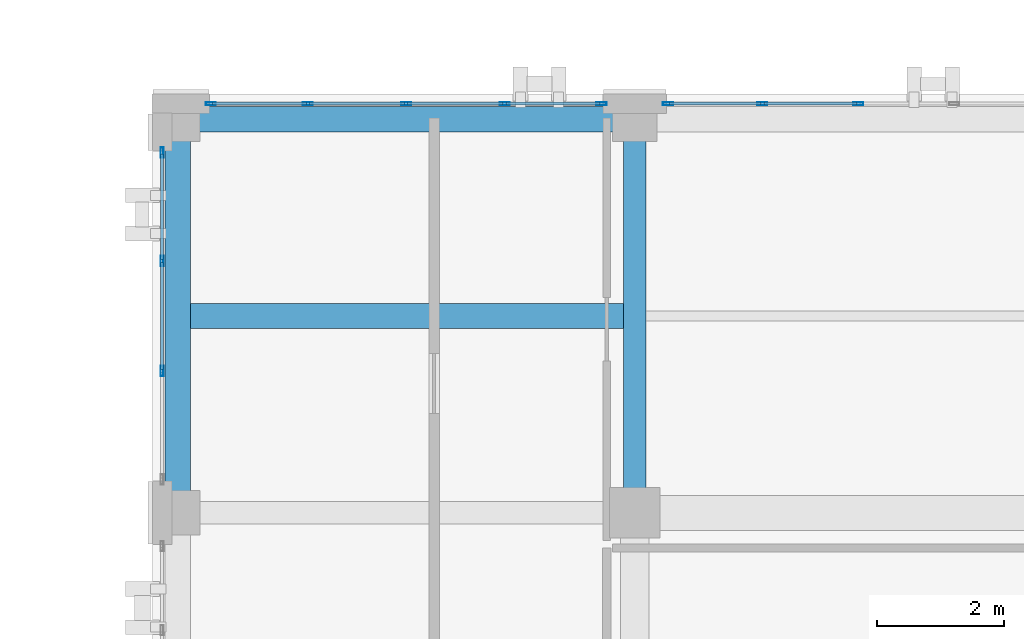
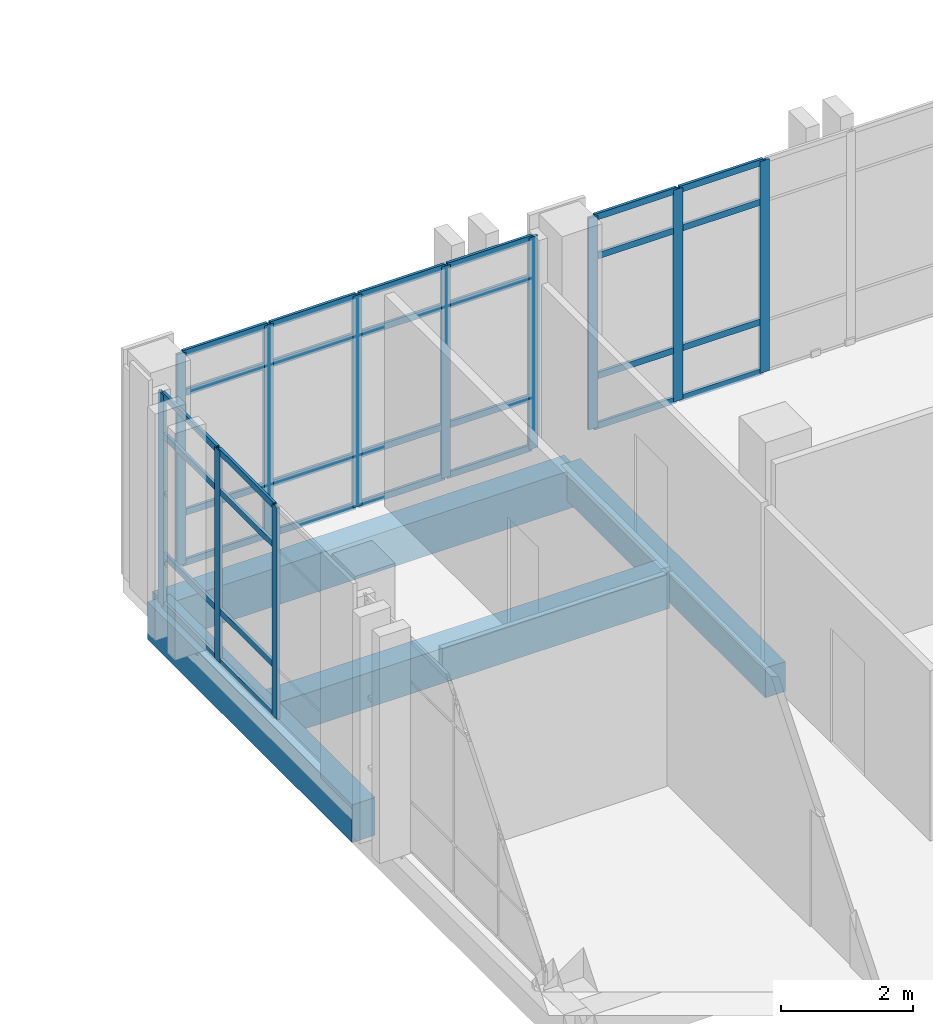
# One storey, part 103 of 193: 43 members, 4 beams, 3 elements without a shape of their own.
"""IFC4 building model written with IfcOpenShell, lengths in metres."""

from ifc_helpers import new_model, si_unit, direction, frame, origin, origin_2d, place, context, subcontext, project, spatial, rectangle, hollow_rectangle, extrude, material, layer, layer_set, material_profile, profile_set, type_object, element, aggregate, save


model = new_model("IFC4")

# Units and contexts
model_context = context("Model", 3, precision=1e-05, world=origin(), true_north=direction((0.0, 1.0)))
body_context = subcontext(model_context, "Body", "Model", "MODEL_VIEW")
ifc_project = project(units=[si_unit("LENGTHUNIT", "METRE"), si_unit("AREAUNIT", "SQUARE_METRE"), si_unit("VOLUMEUNIT", "CUBIC_METRE"), si_unit("PLANEANGLEUNIT", "RADIAN"), si_unit("MASSUNIT", "GRAM", prefix="KILO")], contexts=[model_context])

# Site, building, storey
site_placement = place(None, origin())
site = spatial("IfcSite", under=ifc_project, at=site_placement, CompositionType="ELEMENT")
building_placement = place(site_placement, origin())
building = spatial("IfcBuilding", under=site, at=building_placement, Name="Qalavern Law Courts", CompositionType="ELEMENT")
storey_placement = place(building_placement, frame((0.0, 0.0, 10.199951171875)))
storey = spatial("IfcBuildingStorey", under=building, at=storey_placement, Name="L02", CompositionType="ELEMENT", Elevation=10.199951171875)

# Curtain wall, members
ifc_material_1 = material(Name="Anodised aluminium and insulated glazing", Category="aluminium")
ifc_layer = layer(ifc_material_1, 0.172119140625)
ifc_layer_set = layer_set([ifc_layer], Name="Anodised aluminium and insulated glazing")
curtain_wall_type = type_object("IfcCurtainWallType", Name="ENV-CW-COURT", PredefinedType="USERDEFINED", material=ifc_layer_set)
curtain_wall_1_placement = place(storey_placement, origin())
curtain_wall_1 = element("IfcCurtainWall", 1, at=curtain_wall_1_placement, inside=storey, type_object=curtain_wall_type, Name="V4 unitised curtain wall L02 north 1", ObjectType="UNITISED CURTAIN WALL", PredefinedType="USERDEFINED")
ifc_material_2 = material(Name="Anodised aluminium", Category="aluminium")
ifc_material_profile_1 = material_profile(ifc_material_2, hollow_rectangle(XDim=0.048095703125, YDim=0.159912109375, WallThickness=0.00390625, at=origin_2d()), Name="ALU MULLION 48x160")
ifc_profile_set_1 = profile_set([ifc_material_profile_1], Name="Anodised aluminium")
member_type_1 = type_object("IfcMemberType", Name="ENV-CWM-48x160", PredefinedType="MULLION", material=ifc_profile_set_1)
member_1_placement = place(storey_placement, frame((95.322265625, 85.64501953125, 0.0), z_axis=(0.0, 0.0, 1.0), x_axis=(0.0, -1.0, 0.0)))
member_1 = element("IfcMember", 2, at=member_1_placement, type_object=member_type_1, Name="CW-03 mullion 8", PredefinedType="MULLION", context=body_context, shape_type="SweptSolid", body=[
    extrude(hollow_rectangle(XDim=0.048095703125, YDim=0.159912109375, WallThickness=0.00390625, at=origin_2d()), origin(), (0.0, 0.0, 1.0), 3.9150390625),
])
member_2_placement = place(storey_placement, frame((93.81103515625, 85.64501953125, 0.0), z_axis=(0.0, 0.0, 1.0), x_axis=(0.0, -1.0, 0.0)))
member_2 = element("IfcMember", 3, at=member_2_placement, type_object=member_type_1, Name="CW-03 mullion 9", PredefinedType="MULLION", context=body_context, shape_type="SweptSolid", body=[
    extrude(hollow_rectangle(XDim=0.048095703125, YDim=0.159912109375, WallThickness=0.00390625, at=origin_2d()), origin(), (0.0, 0.0, 1.0), 3.9150390625),
])
member_3_placement = place(storey_placement, frame((92.323974609375, 85.64501953125, 0.0), z_axis=(0.0, 0.0, 1.0), x_axis=(0.0, -1.0, 0.0)))
member_3 = element("IfcMember", 4, at=member_3_placement, type_object=member_type_1, Name="CW-03 mullion 10", PredefinedType="MULLION", context=body_context, shape_type="SweptSolid", body=[
    extrude(hollow_rectangle(XDim=0.048095703125, YDim=0.159912109375, WallThickness=0.00390625, at=origin_2d()), origin(), (0.0, 0.0, 1.0), 3.9150390625),
])

curtain_wall_2_placement = place(storey_placement, origin())
curtain_wall_2 = element("IfcCurtainWall", 5, at=curtain_wall_2_placement, inside=storey, type_object=curtain_wall_type, Name="V4 unitised curtain wall L02 north 2", ObjectType="UNITISED CURTAIN WALL", PredefinedType="USERDEFINED")
member_4_placement = place(storey_placement, frame((91.27587890625, 85.64501953125, 0.0), z_axis=(0.0, 0.0, 1.0), x_axis=(0.0, -1.0, 0.0)))
member_4 = element("IfcMember", 6, at=member_4_placement, type_object=member_type_1, Name="CW-03 mullion 1", PredefinedType="MULLION", context=body_context, shape_type="SweptSolid", body=[
    extrude(hollow_rectangle(XDim=0.048095703125, YDim=0.159912109375, WallThickness=0.00390625, at=origin_2d()), origin(), (0.0, 0.0, 1.0), 3.9150390625),
])
member_5_placement = place(storey_placement, frame((89.75, 85.64501953125, 0.0), z_axis=(0.0, 0.0, 1.0), x_axis=(0.0, -1.0, 0.0)))
member_5 = element("IfcMember", 7, at=member_5_placement, type_object=member_type_1, Name="CW-03 mullion 2", PredefinedType="MULLION", context=body_context, shape_type="SweptSolid", body=[
    extrude(hollow_rectangle(XDim=0.048095703125, YDim=0.159912109375, WallThickness=0.00390625, at=origin_2d()), origin(), (0.0, 0.0, 1.0), 3.9150390625),
])
member_6_placement = place(storey_placement, frame((88.199951171875, 85.64501953125, 0.0), z_axis=(0.0, 0.0, 1.0), x_axis=(0.0, -1.0, 0.0)))
member_6 = element("IfcMember", 8, at=member_6_placement, type_object=member_type_1, Name="CW-03 mullion 3", PredefinedType="MULLION", context=body_context, shape_type="SweptSolid", body=[
    extrude(hollow_rectangle(XDim=0.048095703125, YDim=0.159912109375, WallThickness=0.00390625, at=origin_2d()), origin(), (0.0, 0.0, 1.0), 3.9150390625),
])
member_7_placement = place(storey_placement, frame((86.64990234375, 85.64501953125, 0.0), z_axis=(0.0, 0.0, 1.0), x_axis=(0.0, -1.0, 0.0)))
member_7 = element("IfcMember", 9, at=member_7_placement, type_object=member_type_1, Name="CW-03 mullion 4", PredefinedType="MULLION", context=body_context, shape_type="SweptSolid", body=[
    extrude(hollow_rectangle(XDim=0.048095703125, YDim=0.159912109375, WallThickness=0.00390625, at=origin_2d()), origin(), (0.0, 0.0, 1.0), 3.9150390625),
])
member_8_placement = place(storey_placement, frame((85.1240234375, 85.64501953125, 0.0), z_axis=(0.0, 0.0, 1.0), x_axis=(0.0, -1.0, 0.0)))
member_8 = element("IfcMember", 10, at=member_8_placement, type_object=member_type_1, Name="CW-03 mullion 5", PredefinedType="MULLION", context=body_context, shape_type="SweptSolid", body=[
    extrude(hollow_rectangle(XDim=0.048095703125, YDim=0.159912109375, WallThickness=0.00390625, at=origin_2d()), origin(), (0.0, 0.0, 1.0), 3.9150390625),
])

curtain_wall_3_placement = place(storey_placement, origin())
curtain_wall_3 = element("IfcCurtainWall", 11, at=curtain_wall_3_placement, inside=storey, type_object=curtain_wall_type, Name="V4 unitised curtain wall L02 west 1", ObjectType="UNITISED CURTAIN WALL", PredefinedType="USERDEFINED")
member_9_placement = place(storey_placement, frame((84.35498046875, 84.8759765625, 0.0), z_axis=(0.0, 0.0, 1.0), x_axis=(1.0, 0.0, 0.0)))
member_9 = element("IfcMember", 12, at=member_9_placement, type_object=member_type_1, Name="CW-03 mullion 1", PredefinedType="MULLION", context=body_context, shape_type="SweptSolid", body=[
    extrude(hollow_rectangle(XDim=0.048095703125, YDim=0.159912109375, WallThickness=0.00390625, at=origin_2d()), origin(), (0.0, 0.0, 1.0), 3.9150390625),
])
member_10_placement = place(storey_placement, frame((84.35498046875, 83.166748046875, 0.0), z_axis=(0.0, 0.0, 1.0), x_axis=(1.0, 0.0, 0.0)))
member_10 = element("IfcMember", 13, at=member_10_placement, type_object=member_type_1, Name="CW-03 mullion 2", PredefinedType="MULLION", context=body_context, shape_type="SweptSolid", body=[
    extrude(hollow_rectangle(XDim=0.048095703125, YDim=0.159912109375, WallThickness=0.00390625, at=origin_2d()), origin(), (0.0, 0.0, 1.0), 3.9150390625),
])
member_11_placement = place(storey_placement, frame((84.35498046875, 81.433349609375, 0.0), z_axis=(0.0, 0.0, 1.0), x_axis=(1.0, 0.0, 0.0)))
member_11 = element("IfcMember", 14, at=member_11_placement, type_object=member_type_1, Name="CW-03 mullion 3", PredefinedType="MULLION", context=body_context, shape_type="SweptSolid", body=[
    extrude(hollow_rectangle(XDim=0.048095703125, YDim=0.159912109375, WallThickness=0.00390625, at=origin_2d()), origin(), (0.0, 0.0, 1.0), 3.9150390625),
])

# Member
ifc_material_profile_2 = material_profile(ifc_material_2, hollow_rectangle(XDim=0.048095703125, YDim=0.1201171875, WallThickness=0.00390625, at=origin_2d()), Name="ALU TRANSOM 48x120")
ifc_profile_set_2 = profile_set([ifc_material_profile_2], Name="Anodised aluminium")
member_type_2 = type_object("IfcMemberType", Name="ENV-CWT-48x120", PredefinedType="USERDEFINED", material=ifc_profile_set_2)
member_12_placement = place(storey_placement, frame((95.29833984375, 85.64501953125, 0.024169921875), z_axis=(-1.0, 0.0, 0.0), x_axis=(0.0, -1.0, 0.0)))
member_12 = element("IfcMember", 15, at=member_12_placement, type_object=member_type_2, Name="CW-03 transom 8.1", ObjectType="TRANSOM", PredefinedType="USERDEFINED", context=body_context, shape_type="SweptSolid", body=[
    extrude(hollow_rectangle(XDim=0.048095703125, YDim=0.1201171875, WallThickness=0.00390625, at=origin_2d()), origin(), (0.0, 0.0, 1.0), 1.463134765625),
])

member_13_placement = place(storey_placement, frame((95.29833984375, 85.64501953125, 0.949951171875), z_axis=(-1.0, 0.0, 0.0), x_axis=(0.0, -1.0, 0.0)))
member_13 = element("IfcMember", 16, at=member_13_placement, type_object=member_type_2, Name="CW-03 transom 8.2", ObjectType="TRANSOM", PredefinedType="USERDEFINED", context=body_context, shape_type="SweptSolid", body=[
    extrude(hollow_rectangle(XDim=0.048095703125, YDim=0.1201171875, WallThickness=0.00390625, at=origin_2d()), origin(), (0.0, 0.0, 1.0), 1.463134765625),
])

member_14_placement = place(storey_placement, frame((95.29833984375, 85.64501953125, 3.1650390625), z_axis=(-1.0, 0.0, 0.0), x_axis=(0.0, -1.0, 0.0)))
member_14 = element("IfcMember", 17, at=member_14_placement, type_object=member_type_2, Name="CW-03 transom 8.3", ObjectType="TRANSOM", PredefinedType="USERDEFINED", context=body_context, shape_type="SweptSolid", body=[
    extrude(hollow_rectangle(XDim=0.048095703125, YDim=0.1201171875, WallThickness=0.00390625, at=origin_2d()), origin(), (0.0, 0.0, 1.0), 1.463134765625),
])

member_15_placement = place(storey_placement, frame((95.29833984375, 85.64501953125, 3.89111328125), z_axis=(-1.0, 0.0, 0.0), x_axis=(0.0, -1.0, 0.0)))
member_15 = element("IfcMember", 18, at=member_15_placement, type_object=member_type_2, Name="CW-03 transom 8.4", ObjectType="TRANSOM", PredefinedType="USERDEFINED", context=body_context, shape_type="SweptSolid", body=[
    extrude(hollow_rectangle(XDim=0.048095703125, YDim=0.1201171875, WallThickness=0.00390625, at=origin_2d()), origin(), (0.0, 0.0, 1.0), 1.463134765625),
])

member_16_placement = place(storey_placement, frame((93.787109375, 85.64501953125, 0.024169921875), z_axis=(-1.0, 0.0, 0.0), x_axis=(0.0, -1.0, 0.0)))
member_16 = element("IfcMember", 19, at=member_16_placement, type_object=member_type_2, Name="CW-03 transom 9.1", ObjectType="TRANSOM", PredefinedType="USERDEFINED", context=body_context, shape_type="SweptSolid", body=[
    extrude(hollow_rectangle(XDim=0.048095703125, YDim=0.1201171875, WallThickness=0.00390625, at=origin_2d()), origin(), (0.0, 0.0, 1.0), 1.439208984375),
])

member_17_placement = place(storey_placement, frame((93.787109375, 85.64501953125, 0.949951171875), z_axis=(-1.0, 0.0, 0.0), x_axis=(0.0, -1.0, 0.0)))
member_17 = element("IfcMember", 20, at=member_17_placement, type_object=member_type_2, Name="CW-03 transom 9.2", ObjectType="TRANSOM", PredefinedType="USERDEFINED", context=body_context, shape_type="SweptSolid", body=[
    extrude(hollow_rectangle(XDim=0.048095703125, YDim=0.1201171875, WallThickness=0.00390625, at=origin_2d()), origin(), (0.0, 0.0, 1.0), 1.439208984375),
])

member_18_placement = place(storey_placement, frame((93.787109375, 85.64501953125, 3.1650390625), z_axis=(-1.0, 0.0, 0.0), x_axis=(0.0, -1.0, 0.0)))
member_18 = element("IfcMember", 21, at=member_18_placement, type_object=member_type_2, Name="CW-03 transom 9.3", ObjectType="TRANSOM", PredefinedType="USERDEFINED", context=body_context, shape_type="SweptSolid", body=[
    extrude(hollow_rectangle(XDim=0.048095703125, YDim=0.1201171875, WallThickness=0.00390625, at=origin_2d()), origin(), (0.0, 0.0, 1.0), 1.439208984375),
])

member_19_placement = place(storey_placement, frame((93.787109375, 85.64501953125, 3.89111328125), z_axis=(-1.0, 0.0, 0.0), x_axis=(0.0, -1.0, 0.0)))
member_19 = element("IfcMember", 22, at=member_19_placement, type_object=member_type_2, Name="CW-03 transom 9.4", ObjectType="TRANSOM", PredefinedType="USERDEFINED", context=body_context, shape_type="SweptSolid", body=[
    extrude(hollow_rectangle(XDim=0.048095703125, YDim=0.1201171875, WallThickness=0.00390625, at=origin_2d()), origin(), (0.0, 0.0, 1.0), 1.439208984375),
])

aggregate(curtain_wall_1, [member_1, member_2, member_3, member_12, member_13, member_14, member_15, member_16, member_17, member_18, member_19])

member_20_placement = place(storey_placement, frame((91.251953125, 85.64501953125, 0.024169921875), z_axis=(-1.0, 0.0, 0.0), x_axis=(0.0, -1.0, 0.0)))
member_20 = element("IfcMember", 23, at=member_20_placement, type_object=member_type_2, Name="CW-03 transom 1.1", ObjectType="TRANSOM", PredefinedType="USERDEFINED", context=body_context, shape_type="SweptSolid", body=[
    extrude(hollow_rectangle(XDim=0.048095703125, YDim=0.1201171875, WallThickness=0.00390625, at=origin_2d()), origin(), (0.0, 0.0, 1.0), 1.47802734375),
])

member_21_placement = place(storey_placement, frame((91.251953125, 85.64501953125, 0.949951171875), z_axis=(-1.0, 0.0, 0.0), x_axis=(0.0, -1.0, 0.0)))
member_21 = element("IfcMember", 24, at=member_21_placement, type_object=member_type_2, Name="CW-03 transom 1.2", ObjectType="TRANSOM", PredefinedType="USERDEFINED", context=body_context, shape_type="SweptSolid", body=[
    extrude(hollow_rectangle(XDim=0.048095703125, YDim=0.1201171875, WallThickness=0.00390625, at=origin_2d()), origin(), (0.0, 0.0, 1.0), 1.47802734375),
])

member_22_placement = place(storey_placement, frame((91.251953125, 85.64501953125, 3.1650390625), z_axis=(-1.0, 0.0, 0.0), x_axis=(0.0, -1.0, 0.0)))
member_22 = element("IfcMember", 25, at=member_22_placement, type_object=member_type_2, Name="CW-03 transom 1.3", ObjectType="TRANSOM", PredefinedType="USERDEFINED", context=body_context, shape_type="SweptSolid", body=[
    extrude(hollow_rectangle(XDim=0.048095703125, YDim=0.1201171875, WallThickness=0.00390625, at=origin_2d()), origin(), (0.0, 0.0, 1.0), 1.47802734375),
])

member_23_placement = place(storey_placement, frame((91.251953125, 85.64501953125, 3.89111328125), z_axis=(-1.0, 0.0, 0.0), x_axis=(0.0, -1.0, 0.0)))
member_23 = element("IfcMember", 26, at=member_23_placement, type_object=member_type_2, Name="CW-03 transom 1.4", ObjectType="TRANSOM", PredefinedType="USERDEFINED", context=body_context, shape_type="SweptSolid", body=[
    extrude(hollow_rectangle(XDim=0.048095703125, YDim=0.1201171875, WallThickness=0.00390625, at=origin_2d()), origin(), (0.0, 0.0, 1.0), 1.47802734375),
])

member_24_placement = place(storey_placement, frame((89.72607421875, 85.64501953125, 0.024169921875), z_axis=(-1.0, 0.0, 0.0), x_axis=(0.0, -1.0, 0.0)))
member_24 = element("IfcMember", 27, at=member_24_placement, type_object=member_type_2, Name="CW-03 transom 2.1", ObjectType="TRANSOM", PredefinedType="USERDEFINED", context=body_context, shape_type="SweptSolid", body=[
    extrude(hollow_rectangle(XDim=0.048095703125, YDim=0.1201171875, WallThickness=0.00390625, at=origin_2d()), origin(), (0.0, 0.0, 1.0), 1.501953125),
])

member_25_placement = place(storey_placement, frame((89.72607421875, 85.64501953125, 0.949951171875), z_axis=(-1.0, 0.0, 0.0), x_axis=(0.0, -1.0, 0.0)))
member_25 = element("IfcMember", 28, at=member_25_placement, type_object=member_type_2, Name="CW-03 transom 2.2", ObjectType="TRANSOM", PredefinedType="USERDEFINED", context=body_context, shape_type="SweptSolid", body=[
    extrude(hollow_rectangle(XDim=0.048095703125, YDim=0.1201171875, WallThickness=0.00390625, at=origin_2d()), origin(), (0.0, 0.0, 1.0), 1.501953125),
])

member_26_placement = place(storey_placement, frame((89.72607421875, 85.64501953125, 3.1650390625), z_axis=(-1.0, 0.0, 0.0), x_axis=(0.0, -1.0, 0.0)))
member_26 = element("IfcMember", 29, at=member_26_placement, type_object=member_type_2, Name="CW-03 transom 2.3", ObjectType="TRANSOM", PredefinedType="USERDEFINED", context=body_context, shape_type="SweptSolid", body=[
    extrude(hollow_rectangle(XDim=0.048095703125, YDim=0.1201171875, WallThickness=0.00390625, at=origin_2d()), origin(), (0.0, 0.0, 1.0), 1.501953125),
])

member_27_placement = place(storey_placement, frame((89.72607421875, 85.64501953125, 3.89111328125), z_axis=(-1.0, 0.0, 0.0), x_axis=(0.0, -1.0, 0.0)))
member_27 = element("IfcMember", 30, at=member_27_placement, type_object=member_type_2, Name="CW-03 transom 2.4", ObjectType="TRANSOM", PredefinedType="USERDEFINED", context=body_context, shape_type="SweptSolid", body=[
    extrude(hollow_rectangle(XDim=0.048095703125, YDim=0.1201171875, WallThickness=0.00390625, at=origin_2d()), origin(), (0.0, 0.0, 1.0), 1.501953125),
])

member_28_placement = place(storey_placement, frame((88.176025390625, 85.64501953125, 0.024169921875), z_axis=(-1.0, 0.0, 0.0), x_axis=(0.0, -1.0, 0.0)))
member_28 = element("IfcMember", 31, at=member_28_placement, type_object=member_type_2, Name="CW-03 transom 3.1", ObjectType="TRANSOM", PredefinedType="USERDEFINED", context=body_context, shape_type="SweptSolid", body=[
    extrude(hollow_rectangle(XDim=0.048095703125, YDim=0.1201171875, WallThickness=0.00390625, at=origin_2d()), origin(), (0.0, 0.0, 1.0), 1.501953125),
])

member_29_placement = place(storey_placement, frame((88.176025390625, 85.64501953125, 0.949951171875), z_axis=(-1.0, 0.0, 0.0), x_axis=(0.0, -1.0, 0.0)))
member_29 = element("IfcMember", 32, at=member_29_placement, type_object=member_type_2, Name="CW-03 transom 3.2", ObjectType="TRANSOM", PredefinedType="USERDEFINED", context=body_context, shape_type="SweptSolid", body=[
    extrude(hollow_rectangle(XDim=0.048095703125, YDim=0.1201171875, WallThickness=0.00390625, at=origin_2d()), origin(), (0.0, 0.0, 1.0), 1.501953125),
])

member_30_placement = place(storey_placement, frame((88.176025390625, 85.64501953125, 3.1650390625), z_axis=(-1.0, 0.0, 0.0), x_axis=(0.0, -1.0, 0.0)))
member_30 = element("IfcMember", 33, at=member_30_placement, type_object=member_type_2, Name="CW-03 transom 3.3", ObjectType="TRANSOM", PredefinedType="USERDEFINED", context=body_context, shape_type="SweptSolid", body=[
    extrude(hollow_rectangle(XDim=0.048095703125, YDim=0.1201171875, WallThickness=0.00390625, at=origin_2d()), origin(), (0.0, 0.0, 1.0), 1.501953125),
])

member_31_placement = place(storey_placement, frame((88.176025390625, 85.64501953125, 3.89111328125), z_axis=(-1.0, 0.0, 0.0), x_axis=(0.0, -1.0, 0.0)))
member_31 = element("IfcMember", 34, at=member_31_placement, type_object=member_type_2, Name="CW-03 transom 3.4", ObjectType="TRANSOM", PredefinedType="USERDEFINED", context=body_context, shape_type="SweptSolid", body=[
    extrude(hollow_rectangle(XDim=0.048095703125, YDim=0.1201171875, WallThickness=0.00390625, at=origin_2d()), origin(), (0.0, 0.0, 1.0), 1.501953125),
])

member_32_placement = place(storey_placement, frame((86.6259765625, 85.64501953125, 0.024169921875), z_axis=(-1.0, 0.0, 0.0), x_axis=(0.0, -1.0, 0.0)))
member_32 = element("IfcMember", 35, at=member_32_placement, type_object=member_type_2, Name="CW-03 transom 4.1", ObjectType="TRANSOM", PredefinedType="USERDEFINED", context=body_context, shape_type="SweptSolid", body=[
    extrude(hollow_rectangle(XDim=0.048095703125, YDim=0.1201171875, WallThickness=0.00390625, at=origin_2d()), origin(), (0.0, 0.0, 1.0), 1.47802734375),
])

member_33_placement = place(storey_placement, frame((86.6259765625, 85.64501953125, 0.949951171875), z_axis=(-1.0, 0.0, 0.0), x_axis=(0.0, -1.0, 0.0)))
member_33 = element("IfcMember", 36, at=member_33_placement, type_object=member_type_2, Name="CW-03 transom 4.2", ObjectType="TRANSOM", PredefinedType="USERDEFINED", context=body_context, shape_type="SweptSolid", body=[
    extrude(hollow_rectangle(XDim=0.048095703125, YDim=0.1201171875, WallThickness=0.00390625, at=origin_2d()), origin(), (0.0, 0.0, 1.0), 1.47802734375),
])

member_34_placement = place(storey_placement, frame((86.6259765625, 85.64501953125, 3.1650390625), z_axis=(-1.0, 0.0, 0.0), x_axis=(0.0, -1.0, 0.0)))
member_34 = element("IfcMember", 37, at=member_34_placement, type_object=member_type_2, Name="CW-03 transom 4.3", ObjectType="TRANSOM", PredefinedType="USERDEFINED", context=body_context, shape_type="SweptSolid", body=[
    extrude(hollow_rectangle(XDim=0.048095703125, YDim=0.1201171875, WallThickness=0.00390625, at=origin_2d()), origin(), (0.0, 0.0, 1.0), 1.47802734375),
])

member_35_placement = place(storey_placement, frame((86.6259765625, 85.64501953125, 3.89111328125), z_axis=(-1.0, 0.0, 0.0), x_axis=(0.0, -1.0, 0.0)))
member_35 = element("IfcMember", 38, at=member_35_placement, type_object=member_type_2, Name="CW-03 transom 4.4", ObjectType="TRANSOM", PredefinedType="USERDEFINED", context=body_context, shape_type="SweptSolid", body=[
    extrude(hollow_rectangle(XDim=0.048095703125, YDim=0.1201171875, WallThickness=0.00390625, at=origin_2d()), origin(), (0.0, 0.0, 1.0), 1.47802734375),
])

aggregate(curtain_wall_2, [member_4, member_5, member_6, member_7, member_8, member_20, member_21, member_22, member_23, member_24, member_25, member_26, member_27, member_28, member_29, member_30, member_31, member_32, member_33, member_34, member_35])

member_36_placement = place(storey_placement, frame((84.35498046875, 84.85205078125, 0.024169921875), z_axis=(0.0, -1.0, 0.0), x_axis=(1.0, 0.0, 0.0)))
member_36 = element("IfcMember", 39, at=member_36_placement, type_object=member_type_2, Name="CW-03 transom 1.1", ObjectType="TRANSOM", PredefinedType="USERDEFINED", context=body_context, shape_type="SweptSolid", body=[
    extrude(hollow_rectangle(XDim=0.048095703125, YDim=0.1201171875, WallThickness=0.00390625, at=origin_2d()), origin(), (0.0, 0.0, 1.0), 1.661376953125),
])

member_37_placement = place(storey_placement, frame((84.35498046875, 84.85205078125, 0.949951171875), z_axis=(0.0, -1.0, 0.0), x_axis=(1.0, 0.0, 0.0)))
member_37 = element("IfcMember", 40, at=member_37_placement, type_object=member_type_2, Name="CW-03 transom 1.2", ObjectType="TRANSOM", PredefinedType="USERDEFINED", context=body_context, shape_type="SweptSolid", body=[
    extrude(hollow_rectangle(XDim=0.048095703125, YDim=0.1201171875, WallThickness=0.00390625, at=origin_2d()), origin(), (0.0, 0.0, 1.0), 1.661376953125),
])

member_38_placement = place(storey_placement, frame((84.35498046875, 84.85205078125, 3.1650390625), z_axis=(0.0, -1.0, 0.0), x_axis=(1.0, 0.0, 0.0)))
member_38 = element("IfcMember", 41, at=member_38_placement, type_object=member_type_2, Name="CW-03 transom 1.3", ObjectType="TRANSOM", PredefinedType="USERDEFINED", context=body_context, shape_type="SweptSolid", body=[
    extrude(hollow_rectangle(XDim=0.048095703125, YDim=0.1201171875, WallThickness=0.00390625, at=origin_2d()), origin(), (0.0, 0.0, 1.0), 1.661376953125),
])

member_39_placement = place(storey_placement, frame((84.35498046875, 84.85205078125, 3.89111328125), z_axis=(0.0, -1.0, 0.0), x_axis=(1.0, 0.0, 0.0)))
member_39 = element("IfcMember", 42, at=member_39_placement, type_object=member_type_2, Name="CW-03 transom 1.4", ObjectType="TRANSOM", PredefinedType="USERDEFINED", context=body_context, shape_type="SweptSolid", body=[
    extrude(hollow_rectangle(XDim=0.048095703125, YDim=0.1201171875, WallThickness=0.00390625, at=origin_2d()), origin(), (0.0, 0.0, 1.0), 1.661376953125),
])

member_40_placement = place(storey_placement, frame((84.35498046875, 83.142578125, 0.024169921875), z_axis=(0.0, -1.0, 0.0), x_axis=(1.0, 0.0, 0.0)))
member_40 = element("IfcMember", 43, at=member_40_placement, type_object=member_type_2, Name="CW-03 transom 2.1", ObjectType="TRANSOM", PredefinedType="USERDEFINED", context=body_context, shape_type="SweptSolid", body=[
    extrude(hollow_rectangle(XDim=0.048095703125, YDim=0.1201171875, WallThickness=0.00390625, at=origin_2d()), origin(), (0.0, 0.0, 1.0), 1.685302734375),
])

member_41_placement = place(storey_placement, frame((84.35498046875, 83.142578125, 0.949951171875), z_axis=(0.0, -1.0, 0.0), x_axis=(1.0, 0.0, 0.0)))
member_41 = element("IfcMember", 44, at=member_41_placement, type_object=member_type_2, Name="CW-03 transom 2.2", ObjectType="TRANSOM", PredefinedType="USERDEFINED", context=body_context, shape_type="SweptSolid", body=[
    extrude(hollow_rectangle(XDim=0.048095703125, YDim=0.1201171875, WallThickness=0.00390625, at=origin_2d()), origin(), (0.0, 0.0, 1.0), 1.685302734375),
])

member_42_placement = place(storey_placement, frame((84.35498046875, 83.142578125, 3.1650390625), z_axis=(0.0, -1.0, 0.0), x_axis=(1.0, 0.0, 0.0)))
member_42 = element("IfcMember", 45, at=member_42_placement, type_object=member_type_2, Name="CW-03 transom 2.3", ObjectType="TRANSOM", PredefinedType="USERDEFINED", context=body_context, shape_type="SweptSolid", body=[
    extrude(hollow_rectangle(XDim=0.048095703125, YDim=0.1201171875, WallThickness=0.00390625, at=origin_2d()), origin(), (0.0, 0.0, 1.0), 1.685302734375),
])

member_43_placement = place(storey_placement, frame((84.35498046875, 83.142578125, 3.89111328125), z_axis=(0.0, -1.0, 0.0), x_axis=(1.0, 0.0, 0.0)))
member_43 = element("IfcMember", 46, at=member_43_placement, type_object=member_type_2, Name="CW-03 transom 2.4", ObjectType="TRANSOM", PredefinedType="USERDEFINED", context=body_context, shape_type="SweptSolid", body=[
    extrude(hollow_rectangle(XDim=0.048095703125, YDim=0.1201171875, WallThickness=0.00390625, at=origin_2d()), origin(), (0.0, 0.0, 1.0), 1.685302734375),
])

aggregate(curtain_wall_3, [member_9, member_10, member_11, member_36, member_37, member_38, member_39, member_40, member_41, member_42, member_43])

# Beams
ifc_material_3 = material(Name="Concrete C35/45", Category="concrete")
ifc_material_profile_3 = material_profile(ifc_material_3, rectangle(XDim=0.35009765625, YDim=0.550048828125, at=origin_2d()), Name="RC 350x550")
ifc_profile_set_3 = profile_set([ifc_material_profile_3], Name="Concrete C35/45")
beam_type_1 = type_object("IfcBeamType", Name="STR-BM-RC350x550", PredefinedType="BEAM", material=ifc_profile_set_3)
beam_1_placement = place(storey_placement, frame((91.800048828125, 79.199951171875, -0.56494140625), z_axis=(0.0, 1.0, 0.0), x_axis=(-1.0, 0.0, 0.0)))
element("IfcBeam", 47, at=beam_1_placement, inside=storey, type_object=beam_type_1, Name="V4 Y-beam 2-5 L02", PredefinedType="BEAM", context=body_context, shape_type="SweptSolid", body=[
    extrude(rectangle(XDim=0.35009765625, YDim=0.550048828125, at=origin_2d()), origin(), (0.0, 0.0, 1.0), 6.199951171875),
])
ifc_material_profile_4 = material_profile(ifc_material_3, rectangle(XDim=0.39990234375, YDim=0.64990234375, at=origin_2d()), Name="RC 400x650")
ifc_profile_set_4 = profile_set([ifc_material_profile_4], Name="Concrete C35/45")
beam_type_2 = type_object("IfcBeamType", Name="STR-JST-RC400x650", PredefinedType="JOIST", material=ifc_profile_set_4)
beam_2_placement = place(storey_placement, frame((84.798095703125, 82.300048828125, -0.614990234375), z_axis=(1.0, 0.0, 0.0), x_axis=(0.0, 1.0, 0.0)))
element("IfcBeam", 48, at=beam_2_placement, inside=storey, type_object=beam_type_2, Name="V4 secondary joist 1.6.1 L02", PredefinedType="JOIST", context=body_context, shape_type="SweptSolid", body=[
    extrude(rectangle(XDim=0.39990234375, YDim=0.64990234375, at=origin_2d()), origin(), (0.0, 0.0, 1.0), 6.828857421875),
])
ifc_material_4 = material(Name="Concrete C40/50", Category="concrete")
ifc_material_profile_5 = material_profile(ifc_material_4, rectangle(XDim=0.39990234375, YDim=0.699951171875, at=origin_2d()), Name="RC 400x700")
ifc_profile_set_5 = profile_set([ifc_material_profile_5], Name="Concrete C40/50")
beam_type_3 = type_object("IfcBeamType", Name="STR-SP-RC400x700", PredefinedType="SPANDREL", material=ifc_profile_set_5)
beam_3_placement = place(storey_placement, frame((84.60009765625, 85.39990234375, -0.639892578125), z_axis=(1.0, 0.0, 0.0), x_axis=(0.0, 1.0, 0.0)))
element("IfcBeam", 49, at=beam_3_placement, inside=storey, type_object=beam_type_3, Name="V4 X-beam 7-1 L02", PredefinedType="SPANDREL", context=body_context, shape_type="SweptSolid", body=[
    extrude(rectangle(XDim=0.39990234375, YDim=0.699951171875, at=origin_2d()), origin(), (0.0, 0.0, 1.0), 7.199951171875),
])
beam_4_placement = place(storey_placement, frame((84.60009765625, 79.199951171875, -0.639892578125), z_axis=(0.0, 1.0, 0.0), x_axis=(-1.0, 0.0, 0.0)))
element("IfcBeam", 50, at=beam_4_placement, inside=storey, type_object=beam_type_3, Name="V4 Y-beam 1-6 L02", PredefinedType="SPANDREL", context=body_context, shape_type="SweptSolid", body=[
    extrude(rectangle(XDim=0.39990234375, YDim=0.699951171875, at=origin_2d()), origin(), (0.0, 0.0, 1.0), 6.199951171875),
])

save(model, "model.ifc")
